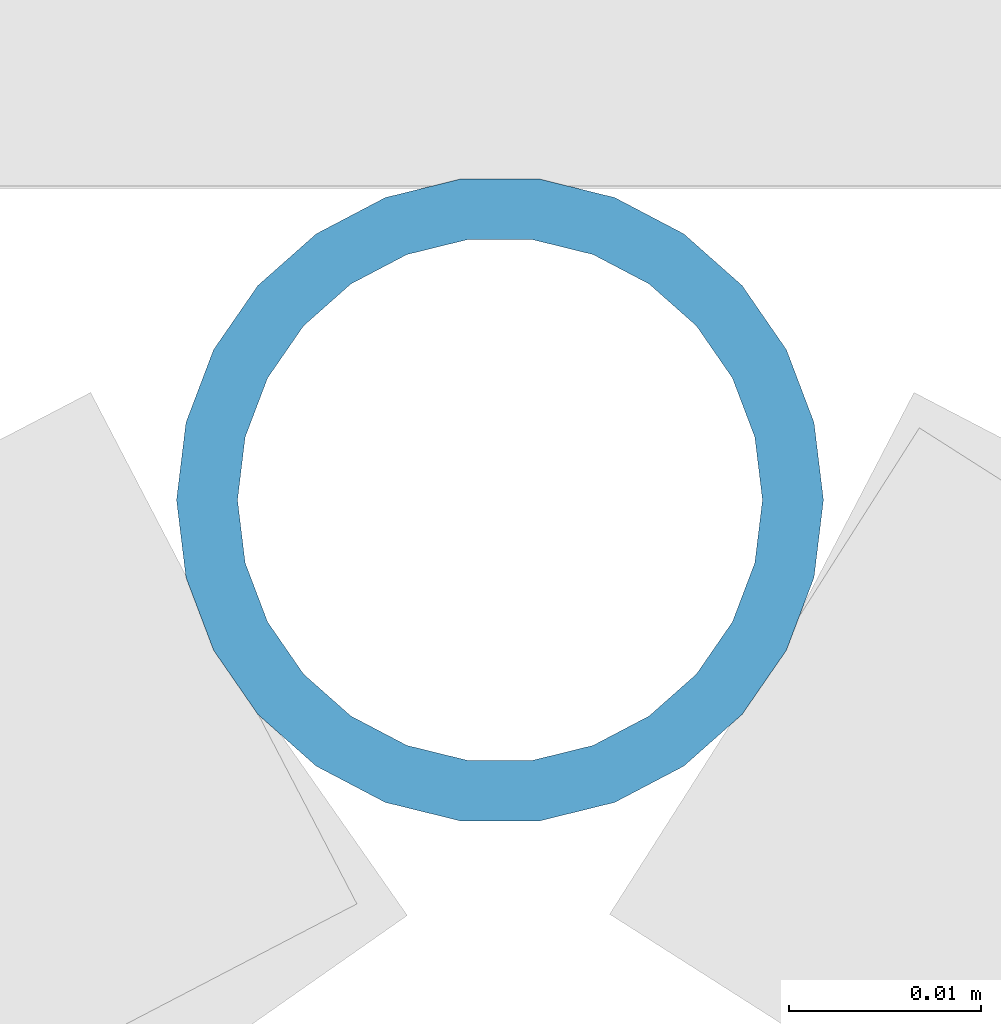
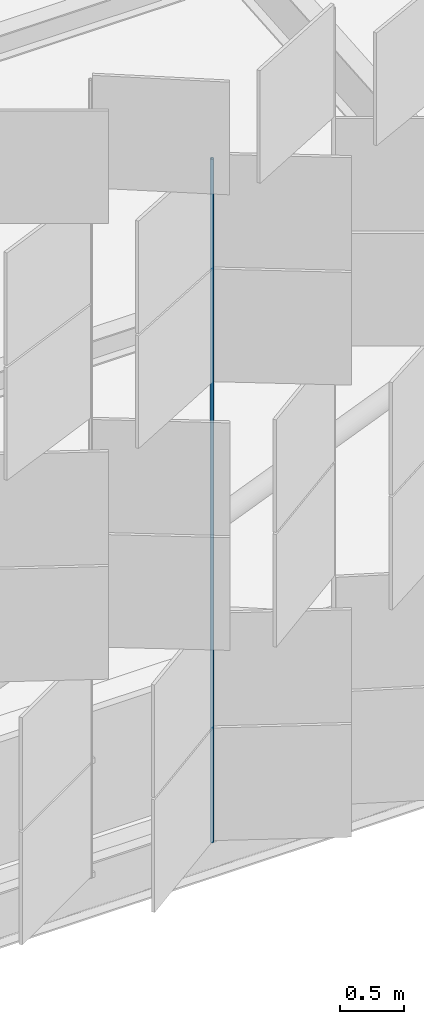
# One storey, part 227 of 483: 1 discrete accessory.
"""IFC4 building model written with IfcOpenShell, lengths in metres."""

from ifc_helpers import new_model, si_unit, direction, frame, origin, origin_2d, place, context, subcontext, project, spatial, hollow_circle, extrude, material, material_profile, profile_set, type_object, element, save


model = new_model("IFC4")

# Units and contexts
model_context = context("Model", 3, precision=1e-05, world=origin(), true_north=direction((0.0, 1.0)))
body_context = subcontext(model_context, "Body", "Model", "MODEL_VIEW")
ifc_project = project(units=[si_unit("LENGTHUNIT", "METRE"), si_unit("AREAUNIT", "SQUARE_METRE"), si_unit("VOLUMEUNIT", "CUBIC_METRE"), si_unit("PLANEANGLEUNIT", "RADIAN"), si_unit("MASSUNIT", "GRAM", prefix="KILO")], contexts=[model_context])

# Site, building, storey
site_placement = place(None, origin())
site = spatial("IfcSite", under=ifc_project, at=site_placement, CompositionType="ELEMENT")
building_placement = place(site_placement, origin())
building = spatial("IfcBuilding", under=site, at=building_placement, Name="Parallax Yard Mobility Hub", CompositionType="ELEMENT")
storey_placement = place(building_placement, frame((0.0, 0.0, 13.199951171875)))
storey = spatial("IfcBuildingStorey", under=building, at=storey_placement, Name="L04", CompositionType="ELEMENT", Elevation=13.199951171875)

# Discrete accessory
ifc_material = material(Name="Steel ASTM A500 Gr C, hot-dip galvanised", Category="steel")
ifc_material_profile = material_profile(ifc_material, hollow_circle(Radius=0.016845703125, WallThickness=0.003173828125, at=origin_2d()), Name="CHS 33.7x3.2")
ifc_profile_set = profile_set([ifc_material_profile], Name="Steel ASTM A500 Gr C, hot-dip galvanised")
discrete_accessory_type = type_object("IfcDiscreteAccessoryType", Name="Hinge post CHS 33.7x3.2", PredefinedType="BRACKET", material=ifc_profile_set)
discrete_accessory_placement = place(storey_placement, frame((161.780029296875, 111.998291015625, 0.0), z_axis=(0.0, 0.0, 1.0), x_axis=(1.0, 0.0, 0.0)))
element("IfcDiscreteAccessory", 1, at=discrete_accessory_placement, inside=storey, type_object=discrete_accessory_type, Name="Hinge post bay 16.5 level L04", PredefinedType="BRACKET", context=body_context, shape_type="SweptSolid", body=[
    extrude(hollow_circle(Radius=0.016845703125, WallThickness=0.003173828125, at=origin_2d()), origin(), (0.0, 0.0, 1.0), 6.550048828125),
])

save(model, "model.ifc")
